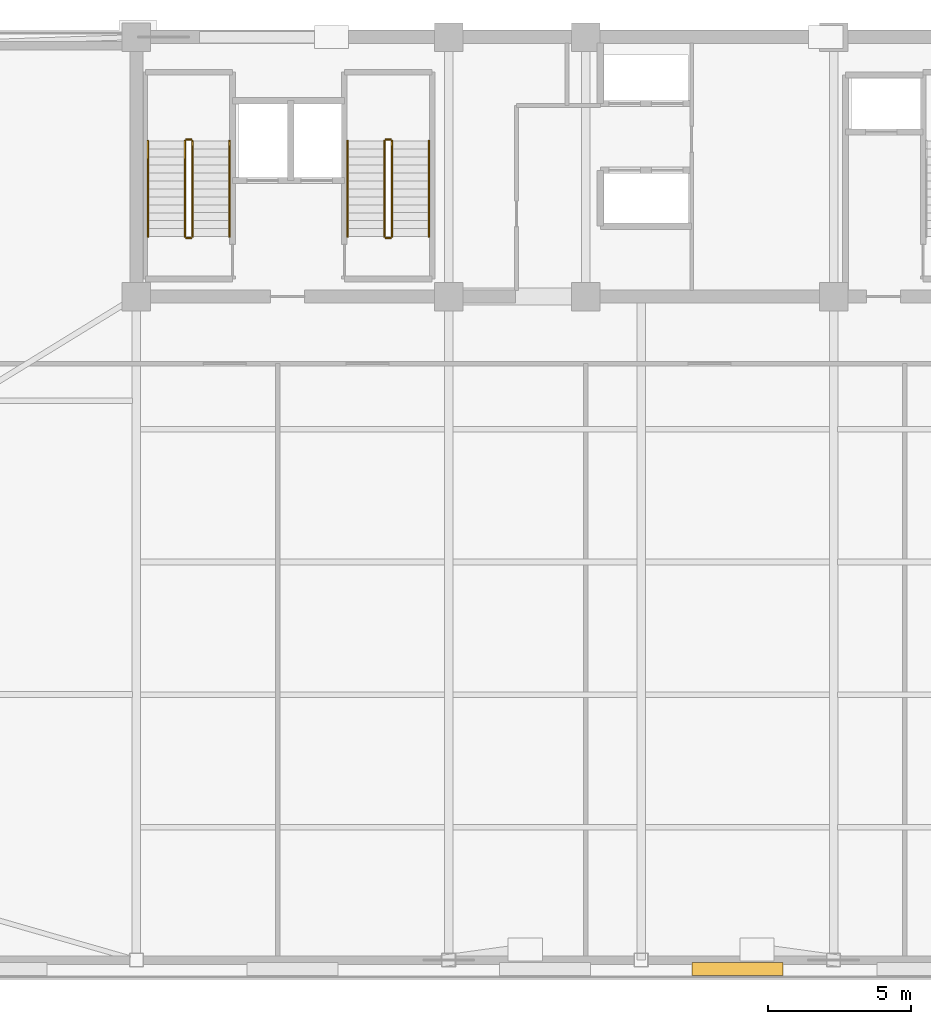
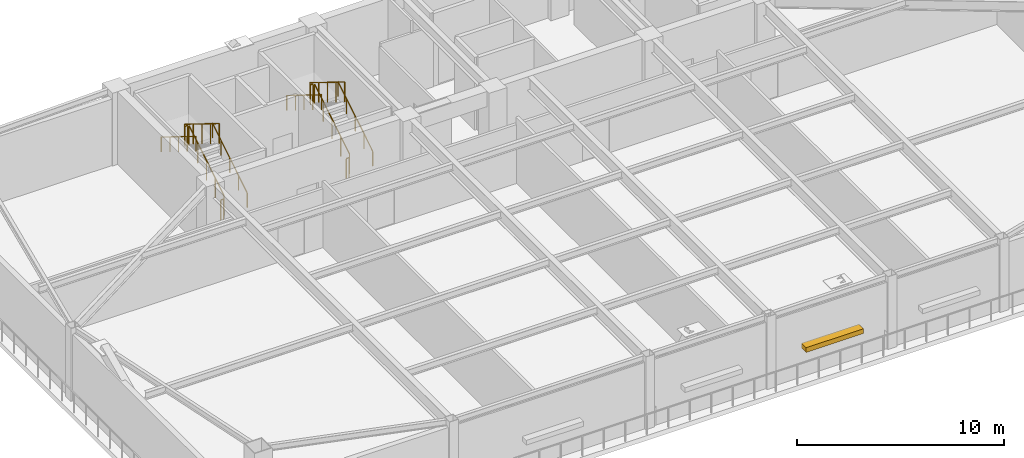
# One storey, part 6 of 9: 12 railings, 1 shading device.
"""IFC4 building model written with IfcOpenShell, lengths in metres."""

from ifc_helpers import new_model, si_unit, direction, frame, origin, origin_2d, place, context, subcontext, project, spatial, rectangle, extrude, source, transform, mapped, material, type_object, element, save


model = new_model("IFC4")

# Units and contexts
model_context = context("Model", 3, precision=1e-05, world=origin(), true_north=direction((0.0, 1.0)))
body_context = subcontext(model_context, "Body", "Model", "MODEL_VIEW")
ifc_project = project(units=[si_unit("LENGTHUNIT", "METRE"), si_unit("AREAUNIT", "SQUARE_METRE"), si_unit("VOLUMEUNIT", "CUBIC_METRE"), si_unit("PLANEANGLEUNIT", "RADIAN"), si_unit("MASSUNIT", "GRAM", prefix="KILO")], contexts=[model_context])

# Site, building, storey
site_placement = place(None, origin())
site = spatial("IfcSite", under=ifc_project, at=site_placement, CompositionType="ELEMENT")
building_placement = place(site_placement, origin())
building = spatial("IfcBuilding", under=site, at=building_placement, Name="Giltprow Tower", CompositionType="ELEMENT")
storey_placement = place(building_placement, frame((0.0, 0.0, 237.199951171875)))
storey = spatial("IfcBuildingStorey", under=building, at=storey_placement, Name="L60", CompositionType="ELEMENT", Elevation=237.199951171875)

# Railings
ifc_material = material(Name="Anodized bronze", Category="metal")
railing_type_1 = type_object("IfcRailingType", Name="RAIL-STAIR-GUARD-1200", PredefinedType="GUARDRAIL", material=ifc_material)
railing_1_placement = place(storey_placement, frame((21.81005859375, 39.550048828125, 0.173095703125)))
element("IfcRailing", 1, at=railing_1_placement, inside=storey, type_object=railing_type_1, Name="L60 ST-1 stair guard 1", PredefinedType="GUARDRAIL", context=body_context, shape_type="SweptSolid", body=[
    extrude(rectangle(XDim=0.048095703125, YDim=0.048095703125, at=origin_2d()), frame((0.0, 0.0, 1.17578125), z_axis=(0.0, 0.850606129759, 0.525803396734), x_axis=(-1.0, 0.0, 0.0)), (0.0, 0.0, 1.0), 3.949951171875),
    extrude(rectangle(XDim=0.0419921875, YDim=0.0419921875, at=origin_2d()), origin(), (0.0, 0.0, 1.0), 1.15185546875),
    extrude(rectangle(XDim=0.0419921875, YDim=0.0419921875, at=origin_2d()), frame((0.0, 0.83984375, 0.519287109375)), (0.0, 0.0, 1.0), 1.15185546875),
    extrude(rectangle(XDim=0.0419921875, YDim=0.0419921875, at=origin_2d()), frame((0.0, 1.679931640625, 1.03857421875)), (0.0, 0.0, 1.0), 1.15185546875),
    extrude(rectangle(XDim=0.0419921875, YDim=0.0419921875, at=origin_2d()), frame((0.0, 2.52001953125, 1.5576171875)), (0.0, 0.0, 1.0), 1.15185546875),
    extrude(rectangle(XDim=0.0419921875, YDim=0.0419921875, at=origin_2d()), frame((0.0, 3.35986328125, 2.076904296875)), (0.0, 0.0, 1.0), 1.15185546875),
])
railing_2_placement = place(storey_placement, frame((21.760009765625, 42.9599609375, 2.25)))
element("IfcRailing", 2, at=railing_2_placement, inside=storey, type_object=railing_type_1, Name="L60 ST-1 stair guard 2", PredefinedType="GUARDRAIL", context=body_context, shape_type="SweptSolid", body=[
    extrude(rectangle(XDim=0.048095703125, YDim=0.048095703125, at=origin_2d()), frame((0.0, 0.0, 1.17578125), z_axis=(-1.0, 0.0, 0.0), x_axis=(0.0, -1.0, 0.0)), (0.0, 0.0, 1.0), 0.159912109375),
    extrude(rectangle(XDim=0.0419921875, YDim=0.0419921875, at=origin_2d()), origin(), (0.0, 0.0, 1.0), 1.15185546875),
    extrude(rectangle(XDim=0.0419921875, YDim=0.0419921875, at=origin_2d()), frame((-0.159912109375, 0.0, 0.0)), (0.0, 0.0, 1.0), 1.15185546875),
])
railing_3_placement = place(storey_placement, frame((21.550048828125, 42.909912109375, 2.423095703125)))
element("IfcRailing", 3, at=railing_3_placement, inside=storey, type_object=railing_type_1, Name="L60 ST-1 stair guard 3", PredefinedType="GUARDRAIL", context=body_context, shape_type="SweptSolid", body=[
    extrude(rectangle(XDim=0.048095703125, YDim=0.048095703125, at=origin_2d()), frame((0.0, 0.0, 1.17578125), z_axis=(0.0, -0.850606129759, 0.525803396734), x_axis=(1.0, 0.0, 0.0)), (0.0, 0.0, 1.0), 3.949951171875),
    extrude(rectangle(XDim=0.0419921875, YDim=0.0419921875, at=origin_2d()), origin(), (0.0, 0.0, 1.0), 1.15185546875),
    extrude(rectangle(XDim=0.0419921875, YDim=0.0419921875, at=origin_2d()), frame((0.0, -0.83984375, 0.519287109375)), (0.0, 0.0, 1.0), 1.15185546875),
    extrude(rectangle(XDim=0.0419921875, YDim=0.0419921875, at=origin_2d()), frame((0.0, -1.679931640625, 1.03857421875)), (0.0, 0.0, 1.0), 1.15185546875),
    extrude(rectangle(XDim=0.0419921875, YDim=0.0419921875, at=origin_2d()), frame((0.0, -2.52001953125, 1.5576171875)), (0.0, 0.0, 1.0), 1.15185546875),
    extrude(rectangle(XDim=0.0419921875, YDim=0.0419921875, at=origin_2d()), frame((0.0, -3.35986328125, 2.076904296875)), (0.0, 0.0, 1.0), 1.15185546875),
])
railing_4_placement = place(storey_placement, frame((21.760009765625, 39.5, 0.0)))
element("IfcRailing", 4, at=railing_4_placement, inside=storey, type_object=railing_type_1, Name="L60 ST-1 stair guard 4", PredefinedType="GUARDRAIL", context=body_context, shape_type="SweptSolid", body=[
    extrude(rectangle(XDim=0.048095703125, YDim=0.048095703125, at=origin_2d()), frame((0.0, 0.0, 1.17578125), z_axis=(-1.0, 0.0, 0.0), x_axis=(0.0, -1.0, 0.0)), (0.0, 0.0, 1.0), 0.159912109375),
    extrude(rectangle(XDim=0.0419921875, YDim=0.0419921875, at=origin_2d()), origin(), (0.0, 0.0, 1.0), 1.15185546875),
    extrude(rectangle(XDim=0.0419921875, YDim=0.0419921875, at=origin_2d()), frame((-0.159912109375, 0.0, 0.0)), (0.0, 0.0, 1.0), 1.15185546875),
])
railing_5_placement = place(storey_placement, frame((28.81005859375, 39.550048828125, 0.173095703125)))
element("IfcRailing", 5, at=railing_5_placement, inside=storey, type_object=railing_type_1, Name="L60 ST-2 stair guard 1", PredefinedType="GUARDRAIL", context=body_context, shape_type="SweptSolid", body=[
    extrude(rectangle(XDim=0.048095703125, YDim=0.048095703125, at=origin_2d()), frame((0.0, 0.0, 1.17578125), z_axis=(0.0, 0.850606129759, 0.525803396734), x_axis=(-1.0, 0.0, 0.0)), (0.0, 0.0, 1.0), 3.949951171875),
    extrude(rectangle(XDim=0.0419921875, YDim=0.0419921875, at=origin_2d()), origin(), (0.0, 0.0, 1.0), 1.15185546875),
    extrude(rectangle(XDim=0.0419921875, YDim=0.0419921875, at=origin_2d()), frame((0.0, 0.83984375, 0.519287109375)), (0.0, 0.0, 1.0), 1.15185546875),
    extrude(rectangle(XDim=0.0419921875, YDim=0.0419921875, at=origin_2d()), frame((0.0, 1.679931640625, 1.03857421875)), (0.0, 0.0, 1.0), 1.15185546875),
    extrude(rectangle(XDim=0.0419921875, YDim=0.0419921875, at=origin_2d()), frame((0.0, 2.52001953125, 1.5576171875)), (0.0, 0.0, 1.0), 1.15185546875),
    extrude(rectangle(XDim=0.0419921875, YDim=0.0419921875, at=origin_2d()), frame((0.0, 3.35986328125, 2.076904296875)), (0.0, 0.0, 1.0), 1.15185546875),
])
railing_6_placement = place(storey_placement, frame((28.760009765625, 42.9599609375, 2.25)))
element("IfcRailing", 6, at=railing_6_placement, inside=storey, type_object=railing_type_1, Name="L60 ST-2 stair guard 2", PredefinedType="GUARDRAIL", context=body_context, shape_type="SweptSolid", body=[
    extrude(rectangle(XDim=0.048095703125, YDim=0.048095703125, at=origin_2d()), frame((0.0, 0.0, 1.17578125), z_axis=(-1.0, 0.0, 0.0), x_axis=(0.0, -1.0, 0.0)), (0.0, 0.0, 1.0), 0.159912109375),
    extrude(rectangle(XDim=0.0419921875, YDim=0.0419921875, at=origin_2d()), origin(), (0.0, 0.0, 1.0), 1.15185546875),
    extrude(rectangle(XDim=0.0419921875, YDim=0.0419921875, at=origin_2d()), frame((-0.159912109375, 0.0, 0.0)), (0.0, 0.0, 1.0), 1.15185546875),
])
railing_7_placement = place(storey_placement, frame((28.550048828125, 42.909912109375, 2.423095703125)))
element("IfcRailing", 7, at=railing_7_placement, inside=storey, type_object=railing_type_1, Name="L60 ST-2 stair guard 3", PredefinedType="GUARDRAIL", context=body_context, shape_type="SweptSolid", body=[
    extrude(rectangle(XDim=0.048095703125, YDim=0.048095703125, at=origin_2d()), frame((0.0, 0.0, 1.17578125), z_axis=(0.0, -0.850606129759, 0.525803396734), x_axis=(1.0, 0.0, 0.0)), (0.0, 0.0, 1.0), 3.949951171875),
    extrude(rectangle(XDim=0.0419921875, YDim=0.0419921875, at=origin_2d()), origin(), (0.0, 0.0, 1.0), 1.15185546875),
    extrude(rectangle(XDim=0.0419921875, YDim=0.0419921875, at=origin_2d()), frame((0.0, -0.83984375, 0.519287109375)), (0.0, 0.0, 1.0), 1.15185546875),
    extrude(rectangle(XDim=0.0419921875, YDim=0.0419921875, at=origin_2d()), frame((0.0, -1.679931640625, 1.03857421875)), (0.0, 0.0, 1.0), 1.15185546875),
    extrude(rectangle(XDim=0.0419921875, YDim=0.0419921875, at=origin_2d()), frame((0.0, -2.52001953125, 1.5576171875)), (0.0, 0.0, 1.0), 1.15185546875),
    extrude(rectangle(XDim=0.0419921875, YDim=0.0419921875, at=origin_2d()), frame((0.0, -3.35986328125, 2.076904296875)), (0.0, 0.0, 1.0), 1.15185546875),
])
railing_8_placement = place(storey_placement, frame((28.760009765625, 39.5, 0.0)))
element("IfcRailing", 8, at=railing_8_placement, inside=storey, type_object=railing_type_1, Name="L60 ST-2 stair guard 4", PredefinedType="GUARDRAIL", context=body_context, shape_type="SweptSolid", body=[
    extrude(rectangle(XDim=0.048095703125, YDim=0.048095703125, at=origin_2d()), frame((0.0, 0.0, 1.17578125), z_axis=(-1.0, 0.0, 0.0), x_axis=(0.0, -1.0, 0.0)), (0.0, 0.0, 1.0), 0.159912109375),
    extrude(rectangle(XDim=0.0419921875, YDim=0.0419921875, at=origin_2d()), origin(), (0.0, 0.0, 1.0), 1.15185546875),
    extrude(rectangle(XDim=0.0419921875, YDim=0.0419921875, at=origin_2d()), frame((-0.159912109375, 0.0, 0.0)), (0.0, 0.0, 1.0), 1.15185546875),
])
railing_type_2 = type_object("IfcRailingType", Name="RAIL-STAIR-HAND-900", PredefinedType="HANDRAIL", material=ifc_material)
railing_9_placement = place(storey_placement, frame((23.110107421875, 39.550048828125, 0.173095703125)))
element("IfcRailing", 9, at=railing_9_placement, inside=storey, type_object=railing_type_2, Name="L60 ST-1 stair handrail 1", PredefinedType="HANDRAIL", context=body_context, shape_type="SweptSolid", body=[
    extrude(rectangle(XDim=0.048095703125, YDim=0.048095703125, at=origin_2d()), frame((0.0, 0.0, 0.8759765625), z_axis=(0.0, 0.850606129759, 0.525803396734), x_axis=(-1.0, 0.0, 0.0)), (0.0, 0.0, 1.0), 3.949951171875),
    extrude(rectangle(XDim=0.0419921875, YDim=0.0419921875, at=origin_2d()), origin(), (0.0, 0.0, 1.0), 0.851806640625),
    extrude(rectangle(XDim=0.0419921875, YDim=0.0419921875, at=origin_2d()), frame((0.0, 0.83984375, 0.519287109375)), (0.0, 0.0, 1.0), 0.851806640625),
    extrude(rectangle(XDim=0.0419921875, YDim=0.0419921875, at=origin_2d()), frame((0.0, 1.679931640625, 1.03857421875)), (0.0, 0.0, 1.0), 0.851806640625),
    extrude(rectangle(XDim=0.0419921875, YDim=0.0419921875, at=origin_2d()), frame((0.0, 2.52001953125, 1.5576171875)), (0.0, 0.0, 1.0), 0.851806640625),
    extrude(rectangle(XDim=0.0419921875, YDim=0.0419921875, at=origin_2d()), frame((0.0, 3.35986328125, 2.076904296875)), (0.0, 0.0, 1.0), 0.851806640625),
])
railing_10_placement = place(storey_placement, frame((20.25, 42.909912109375, 2.423095703125)))
element("IfcRailing", 10, at=railing_10_placement, inside=storey, type_object=railing_type_2, Name="L60 ST-1 stair handrail 2", PredefinedType="HANDRAIL", context=body_context, shape_type="SweptSolid", body=[
    extrude(rectangle(XDim=0.048095703125, YDim=0.048095703125, at=origin_2d()), frame((0.0, 0.0, 0.8759765625), z_axis=(0.0, -0.850606129759, 0.525803396734), x_axis=(1.0, 0.0, 0.0)), (0.0, 0.0, 1.0), 3.949951171875),
    extrude(rectangle(XDim=0.0419921875, YDim=0.0419921875, at=origin_2d()), origin(), (0.0, 0.0, 1.0), 0.851806640625),
    extrude(rectangle(XDim=0.0419921875, YDim=0.0419921875, at=origin_2d()), frame((0.0, -0.83984375, 0.519287109375)), (0.0, 0.0, 1.0), 0.851806640625),
    extrude(rectangle(XDim=0.0419921875, YDim=0.0419921875, at=origin_2d()), frame((0.0, -1.679931640625, 1.03857421875)), (0.0, 0.0, 1.0), 0.851806640625),
    extrude(rectangle(XDim=0.0419921875, YDim=0.0419921875, at=origin_2d()), frame((0.0, -2.52001953125, 1.5576171875)), (0.0, 0.0, 1.0), 0.851806640625),
    extrude(rectangle(XDim=0.0419921875, YDim=0.0419921875, at=origin_2d()), frame((0.0, -3.35986328125, 2.076904296875)), (0.0, 0.0, 1.0), 0.851806640625),
])
railing_11_placement = place(storey_placement, frame((30.110107421875, 39.550048828125, 0.173095703125)))
element("IfcRailing", 11, at=railing_11_placement, inside=storey, type_object=railing_type_2, Name="L60 ST-2 stair handrail 1", PredefinedType="HANDRAIL", context=body_context, shape_type="SweptSolid", body=[
    extrude(rectangle(XDim=0.048095703125, YDim=0.048095703125, at=origin_2d()), frame((0.0, 0.0, 0.8759765625), z_axis=(0.0, 0.850606129759, 0.525803396734), x_axis=(-1.0, 0.0, 0.0)), (0.0, 0.0, 1.0), 3.949951171875),
    extrude(rectangle(XDim=0.0419921875, YDim=0.0419921875, at=origin_2d()), origin(), (0.0, 0.0, 1.0), 0.851806640625),
    extrude(rectangle(XDim=0.0419921875, YDim=0.0419921875, at=origin_2d()), frame((0.0, 0.83984375, 0.519287109375)), (0.0, 0.0, 1.0), 0.851806640625),
    extrude(rectangle(XDim=0.0419921875, YDim=0.0419921875, at=origin_2d()), frame((0.0, 1.679931640625, 1.03857421875)), (0.0, 0.0, 1.0), 0.851806640625),
    extrude(rectangle(XDim=0.0419921875, YDim=0.0419921875, at=origin_2d()), frame((0.0, 2.52001953125, 1.5576171875)), (0.0, 0.0, 1.0), 0.851806640625),
    extrude(rectangle(XDim=0.0419921875, YDim=0.0419921875, at=origin_2d()), frame((0.0, 3.35986328125, 2.076904296875)), (0.0, 0.0, 1.0), 0.851806640625),
])
railing_12_placement = place(storey_placement, frame((27.25, 42.909912109375, 2.423095703125)))
element("IfcRailing", 12, at=railing_12_placement, inside=storey, type_object=railing_type_2, Name="L60 ST-2 stair handrail 2", PredefinedType="HANDRAIL", context=body_context, shape_type="SweptSolid", body=[
    extrude(rectangle(XDim=0.048095703125, YDim=0.048095703125, at=origin_2d()), frame((0.0, 0.0, 0.8759765625), z_axis=(0.0, -0.850606129759, 0.525803396734), x_axis=(1.0, 0.0, 0.0)), (0.0, 0.0, 1.0), 3.949951171875),
    extrude(rectangle(XDim=0.0419921875, YDim=0.0419921875, at=origin_2d()), origin(), (0.0, 0.0, 1.0), 0.851806640625),
    extrude(rectangle(XDim=0.0419921875, YDim=0.0419921875, at=origin_2d()), frame((0.0, -0.83984375, 0.519287109375)), (0.0, 0.0, 1.0), 0.851806640625),
    extrude(rectangle(XDim=0.0419921875, YDim=0.0419921875, at=origin_2d()), frame((0.0, -1.679931640625, 1.03857421875)), (0.0, 0.0, 1.0), 0.851806640625),
    extrude(rectangle(XDim=0.0419921875, YDim=0.0419921875, at=origin_2d()), frame((0.0, -2.52001953125, 1.5576171875)), (0.0, 0.0, 1.0), 0.851806640625),
    extrude(rectangle(XDim=0.0419921875, YDim=0.0419921875, at=origin_2d()), frame((0.0, -3.35986328125, 2.076904296875)), (0.0, 0.0, 1.0), 0.851806640625),
])

# Shading device
shading_device_type = type_object("IfcShadingDeviceType", Name="SHD-LOUVRE-320", PredefinedType="JALOUSIE", material=ifc_material)
shared_shape = source(origin(), body_context, "Body", "SweptSolid", [
    extrude(rectangle(XDim=3.199951171875, YDim=0.449951171875, at=origin_2d()), origin(), (0.0, 0.0, 1.0), 0.280029296875),
])
shading_device_placement = place(storey_placement, frame((40.925048828125, 13.8720703125, 1.66015625), z_axis=(0.0, 0.0, 1.0), x_axis=(1.0, 0.0, 0.0)))
element("IfcShadingDevice", 13, at=shading_device_placement, inside=storey, type_object=shading_device_type, Name="L60 Refuge Intake Louvre S-4", PredefinedType="JALOUSIE", context=body_context, shape_type="MappedRepresentation", body=[
    mapped(shared_shape, transform((0.0, 0.0, 0.0), x_axis=(1.0, 0.0, 0.0), y_axis=(0.0, 1.0, 0.0), z_axis=(0.0, 0.0, 1.0), scale=1.0)),
])

save(model, "model.ifc")
